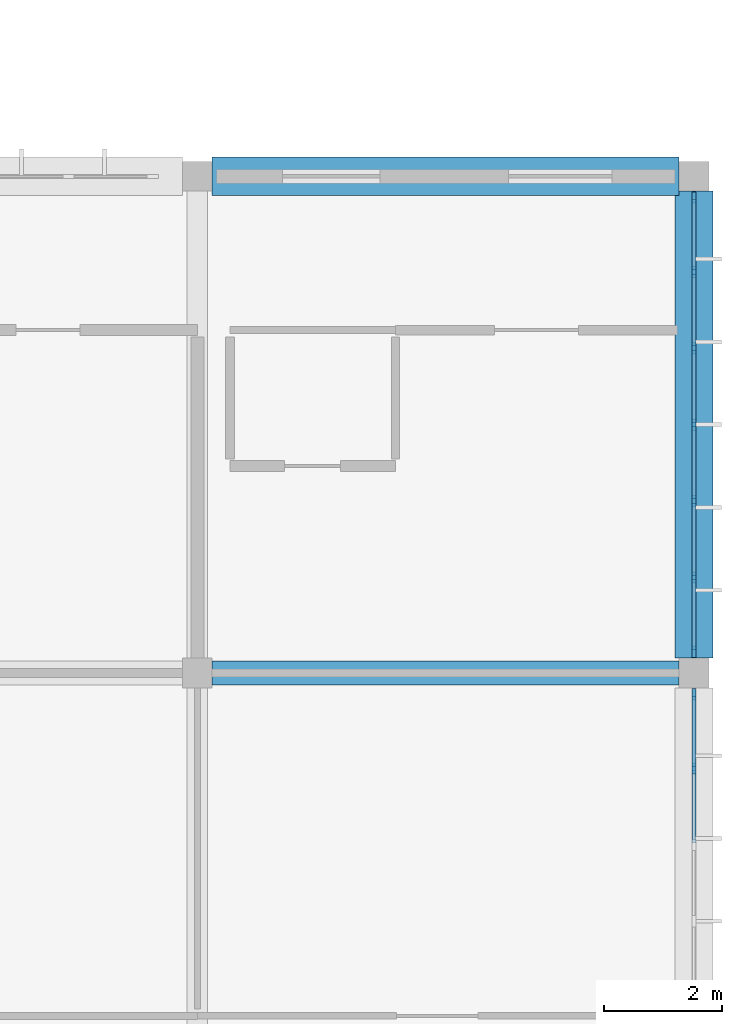
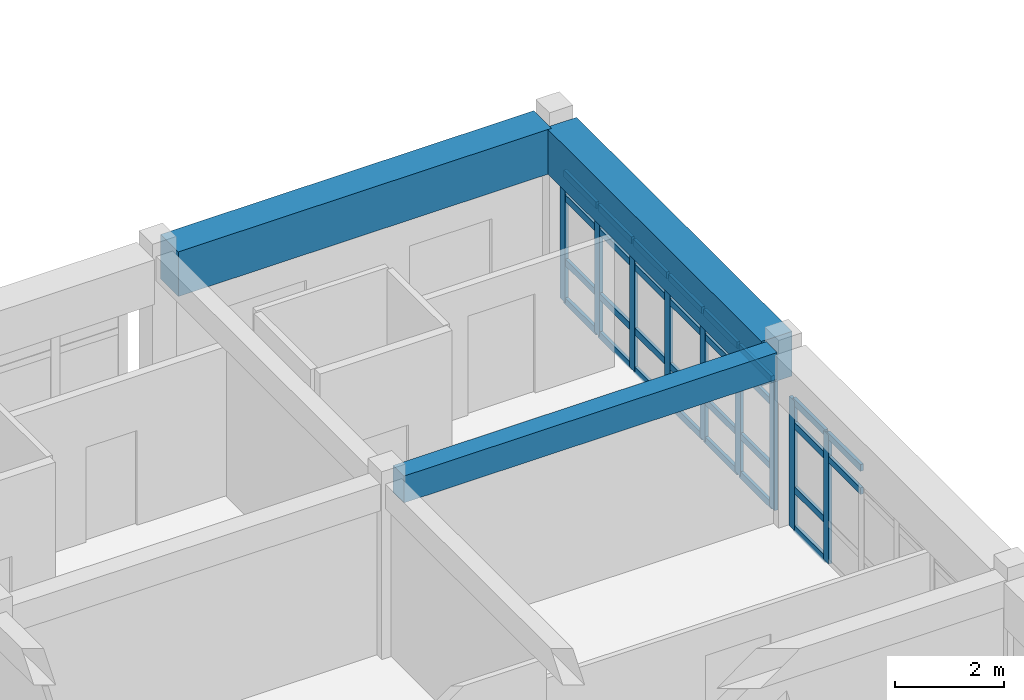
# One storey, part 47 of 119: 39 members, 3 beams, 2 elements without a shape of their own.
"""IFC4 building model written with IfcOpenShell, lengths in metres."""

from ifc_helpers import new_model, si_unit, direction, frame, origin, origin_2d, place, context, subcontext, project, spatial, rectangle, extrude, material, layer, layer_set, material_profile, profile_set, type_object, element, aggregate, save


model = new_model("IFC4")

# Units and contexts
model_context = context("Model", 3, precision=1e-05, world=origin(), true_north=direction((0.0, 1.0)))
body_context = subcontext(model_context, "Body", "Model", "MODEL_VIEW")
ifc_project = project(units=[si_unit("LENGTHUNIT", "METRE"), si_unit("AREAUNIT", "SQUARE_METRE"), si_unit("VOLUMEUNIT", "CUBIC_METRE"), si_unit("PLANEANGLEUNIT", "RADIAN"), si_unit("MASSUNIT", "GRAM", prefix="KILO")], contexts=[model_context])

# Site, building, storey
site_placement = place(None, origin())
site = spatial("IfcSite", under=ifc_project, at=site_placement, CompositionType="ELEMENT")
building_placement = place(site_placement, origin())
building = spatial("IfcBuilding", under=site, at=building_placement, Name="Bramfleet General Hospital", CompositionType="ELEMENT")
storey_placement = place(building_placement, frame((0.0, 0.0, 14.39990234375)))
storey = spatial("IfcBuildingStorey", under=building, at=storey_placement, Name="L03", CompositionType="ELEMENT", Elevation=14.39990234375)

# Beams
ifc_material_1 = material(Name="Concrete C35/45", Category="concrete")
ifc_material_profile_1 = material_profile(ifc_material_1, rectangle(XDim=0.39990234375, YDim=0.60009765625, at=origin_2d()), Name="RC BM 600x400")
ifc_profile_set_1 = profile_set([ifc_material_profile_1], Name="Concrete C35/45")
beam_type_1 = type_object("IfcBeamType", Name="BM-RC600", PredefinedType="BEAM", material=ifc_profile_set_1)
beam_placement = place(storey_placement, frame((159.85009765625, 16.800048828125, 3.60009765625), z_axis=(1.0, 0.0, 0.0), x_axis=(0.0, 1.0, 0.0)))
element("IfcBeam", 1, at=beam_placement, inside=storey, type_object=beam_type_1, Name="L03 Grid Beam X 19-02", PredefinedType="BEAM", context=body_context, shape_type="SweptSolid", body=[
    extrude(rectangle(XDim=0.39990234375, YDim=0.60009765625, at=origin_2d()), origin(), (0.0, 0.0, 1.0), 7.89990234375),
])
ifc_material_2 = material(Name="Concrete C40/50", Category="concrete")
ifc_material_profile_2 = material_profile(ifc_material_2, rectangle(XDim=0.64990234375, YDim=1.0, at=origin_2d()), Name="RC TG 1000x650")
ifc_profile_set_2 = profile_set([ifc_material_profile_2], Name="Concrete C40/50")
beam_type_2 = type_object("IfcBeamType", Name="BM-TG1000", PredefinedType="BEAM", material=ifc_profile_set_2)
for number, where, z_axis, x_axis, name in (
    (2, (159.85009765625, 25.199951171875, 3.400146484375), (1.0, 0.0, 0.0), (0.0, 1.0, 0.0), "L03 Transfer Girder X 19-03"),
    (3, (168.0, 17.050048828125, 3.400146484375), (0.0, 1.0, 0.0), (-1.0, 0.0, 0.0), "L03 Transfer Girder Y 20-02"),
):
    element("IfcBeam", number, at=place(storey_placement, frame(where, z_axis=z_axis, x_axis=x_axis)), inside=storey, type_object=beam_type_2, Name=name, PredefinedType="BEAM", context=body_context, shape_type="SweptSolid", body=[
        extrude(rectangle(XDim=0.64990234375, YDim=1.0, at=origin_2d()), origin(), (0.0, 0.0, 1.0), 7.89990234375),
    ])

# Curtain wall, members
ifc_material_3 = material(Name="Anodised aluminium and low-E triple glazing", Category="aluminium")
ifc_layer_1 = layer(ifc_material_3, 0.179931640625, Name="CWT-CW-05")
ifc_layer_set_1 = layer_set([ifc_layer_1], Name="Anodised aluminium and low-E triple glazing")
curtain_wall_type_1 = type_object("IfcCurtainWallType", Name="CWT-CW-05", PredefinedType="USERDEFINED", material=ifc_layer_set_1)
curtain_wall_1_placement = place(storey_placement, origin())
curtain_wall_1 = element("IfcCurtainWall", 4, at=curtain_wall_1_placement, inside=storey, type_object=curtain_wall_type_1, Name="L03 Curtain Wall 167", ObjectType="Unitised curtain wall", PredefinedType="USERDEFINED")
ifc_material_4 = material(Name="Structural timber GL28h", Category="wood")
ifc_material_profile_3 = material_profile(ifc_material_4, rectangle(XDim=0.070068359375, YDim=0.18994140625, at=origin_2d()), Name="LARCH 190x70")
ifc_profile_set_3 = profile_set([ifc_material_profile_3], Name="Structural timber GL28h")
member_type_1 = type_object("IfcMemberType", Name="CWM-LARCH450", PredefinedType="MULLION", material=ifc_profile_set_3)
member_1_placement = place(storey_placement, frame((168.0, 24.840087890625, 0.0), z_axis=(0.0, 0.0, 1.0), x_axis=(1.0, 0.0, 0.0)))
member_1 = element("IfcMember", 5, at=member_1_placement, type_object=member_type_1, Name="CW-05 mullion 1", PredefinedType="MULLION", context=body_context, shape_type="SweptSolid", body=[
    extrude(rectangle(XDim=0.070068359375, YDim=0.18994140625, at=origin_2d()), origin(), (0.0, 0.0, 1.0), 2.89013671875),
])
member_2_placement = place(storey_placement, frame((168.0, 23.583251953125, 0.0), z_axis=(0.0, 0.0, 1.0), x_axis=(1.0, 0.0, 0.0)))
member_2 = element("IfcMember", 6, at=member_2_placement, type_object=member_type_1, Name="CW-05 mullion 2", PredefinedType="MULLION", context=body_context, shape_type="SweptSolid", body=[
    extrude(rectangle(XDim=0.070068359375, YDim=0.18994140625, at=origin_2d()), origin(), (0.0, 0.0, 1.0), 2.89013671875),
])
member_3_placement = place(storey_placement, frame((168.0, 22.291748046875, 0.0), z_axis=(0.0, 0.0, 1.0), x_axis=(1.0, 0.0, 0.0)))
member_3 = element("IfcMember", 7, at=member_3_placement, type_object=member_type_1, Name="CW-05 mullion 3", PredefinedType="MULLION", context=body_context, shape_type="SweptSolid", body=[
    extrude(rectangle(XDim=0.070068359375, YDim=0.18994140625, at=origin_2d()), origin(), (0.0, 0.0, 1.0), 2.89013671875),
])
member_4_placement = place(storey_placement, frame((168.0, 21.0, 0.0), z_axis=(0.0, 0.0, 1.0), x_axis=(1.0, 0.0, 0.0)))
member_4 = element("IfcMember", 8, at=member_4_placement, type_object=member_type_1, Name="CW-05 mullion 4", PredefinedType="MULLION", context=body_context, shape_type="SweptSolid", body=[
    extrude(rectangle(XDim=0.070068359375, YDim=0.18994140625, at=origin_2d()), origin(), (0.0, 0.0, 1.0), 2.89013671875),
])
member_5_placement = place(storey_placement, frame((168.0, 19.708251953125, 0.0), z_axis=(0.0, 0.0, 1.0), x_axis=(1.0, 0.0, 0.0)))
member_5 = element("IfcMember", 9, at=member_5_placement, type_object=member_type_1, Name="CW-05 mullion 5", PredefinedType="MULLION", context=body_context, shape_type="SweptSolid", body=[
    extrude(rectangle(XDim=0.070068359375, YDim=0.18994140625, at=origin_2d()), origin(), (0.0, 0.0, 1.0), 2.89013671875),
])
member_6_placement = place(storey_placement, frame((168.0, 18.416748046875, 0.0), z_axis=(0.0, 0.0, 1.0), x_axis=(1.0, 0.0, 0.0)))
member_6 = element("IfcMember", 10, at=member_6_placement, type_object=member_type_1, Name="CW-05 mullion 6", PredefinedType="MULLION", context=body_context, shape_type="SweptSolid", body=[
    extrude(rectangle(XDim=0.070068359375, YDim=0.18994140625, at=origin_2d()), origin(), (0.0, 0.0, 1.0), 2.89013671875),
])
member_7_placement = place(storey_placement, frame((168.0, 17.159912109375, 0.0), z_axis=(0.0, 0.0, 1.0), x_axis=(1.0, 0.0, 0.0)))
member_7 = element("IfcMember", 11, at=member_7_placement, type_object=member_type_1, Name="CW-05 mullion 7", PredefinedType="MULLION", context=body_context, shape_type="SweptSolid", body=[
    extrude(rectangle(XDim=0.070068359375, YDim=0.18994140625, at=origin_2d()), origin(), (0.0, 0.0, 1.0), 2.89013671875),
])

ifc_layer_2 = layer(ifc_material_3, 0.179931640625, Name="CWT-CW-06")
ifc_layer_set_2 = layer_set([ifc_layer_2], Name="Anodised aluminium and low-E triple glazing")
curtain_wall_type_2 = type_object("IfcCurtainWallType", Name="CWT-CW-06", PredefinedType="USERDEFINED", material=ifc_layer_set_2)
curtain_wall_2_placement = place(storey_placement, origin())
curtain_wall_2 = element("IfcCurtainWall", 12, at=curtain_wall_2_placement, inside=storey, type_object=curtain_wall_type_2, Name="L03 Curtain Wall 168", ObjectType="Unitised curtain wall", PredefinedType="USERDEFINED")
member_8_placement = place(storey_placement, frame((168.0, 16.43994140625, 0.0), z_axis=(0.0, 0.0, 1.0), x_axis=(1.0, 0.0, 0.0)))
member_8 = element("IfcMember", 13, at=member_8_placement, type_object=member_type_1, Name="CW-06 mullion 1", PredefinedType="MULLION", context=body_context, shape_type="SweptSolid", body=[
    extrude(rectangle(XDim=0.070068359375, YDim=0.18994140625, at=origin_2d()), origin(), (0.0, 0.0, 1.0), 2.89013671875),
])
member_9_placement = place(storey_placement, frame((168.0, 15.183349609375, 0.0), z_axis=(0.0, 0.0, 1.0), x_axis=(1.0, 0.0, 0.0)))
member_9 = element("IfcMember", 14, at=member_9_placement, type_object=member_type_1, Name="CW-06 mullion 2", PredefinedType="MULLION", context=body_context, shape_type="SweptSolid", body=[
    extrude(rectangle(XDim=0.070068359375, YDim=0.18994140625, at=origin_2d()), origin(), (0.0, 0.0, 1.0), 2.89013671875),
])

# Member
ifc_material_profile_4 = material_profile(ifc_material_4, rectangle(XDim=0.06494140625, YDim=0.14990234375, at=origin_2d()), Name="LARCH 150x65")
ifc_profile_set_4 = profile_set([ifc_material_profile_4], Name="Structural timber GL28h")
member_type_2 = type_object("IfcMemberType", Name="CWT-LARCH220", PredefinedType="USERDEFINED", material=ifc_profile_set_4)
member_10_placement = place(storey_placement, frame((168.0, 24.804931640625, 0.03271484375), z_axis=(0.0, -1.0, 0.0), x_axis=(1.0, 0.0, 0.0)))
member_10 = element("IfcMember", 15, at=member_10_placement, type_object=member_type_2, Name="CW-05 transom 1.1", ObjectType="TRANSOM", PredefinedType="USERDEFINED", context=body_context, shape_type="SweptSolid", body=[
    extrude(rectangle(XDim=0.06494140625, YDim=0.14990234375, at=origin_2d()), origin(), (0.0, 0.0, 1.0), 1.1865234375),
])

member_11_placement = place(storey_placement, frame((168.0, 24.804931640625, 0.900146484375), z_axis=(0.0, -1.0, 0.0), x_axis=(1.0, 0.0, 0.0)))
member_11 = element("IfcMember", 16, at=member_11_placement, type_object=member_type_2, Name="CW-05 transom 1.2", ObjectType="TRANSOM", PredefinedType="USERDEFINED", context=body_context, shape_type="SweptSolid", body=[
    extrude(rectangle(XDim=0.06494140625, YDim=0.14990234375, at=origin_2d()), origin(), (0.0, 0.0, 1.0), 1.1865234375),
])

member_12_placement = place(storey_placement, frame((168.0, 24.804931640625, 2.340087890625), z_axis=(0.0, -1.0, 0.0), x_axis=(1.0, 0.0, 0.0)))
member_12 = element("IfcMember", 17, at=member_12_placement, type_object=member_type_2, Name="CW-05 transom 1.3", ObjectType="TRANSOM", PredefinedType="USERDEFINED", context=body_context, shape_type="SweptSolid", body=[
    extrude(rectangle(XDim=0.06494140625, YDim=0.14990234375, at=origin_2d()), origin(), (0.0, 0.0, 1.0), 1.1865234375),
])

member_13_placement = place(storey_placement, frame((168.0, 24.804931640625, 2.857666015625), z_axis=(0.0, -1.0, 0.0), x_axis=(1.0, 0.0, 0.0)))
member_13 = element("IfcMember", 18, at=member_13_placement, type_object=member_type_2, Name="CW-05 transom 1.4", ObjectType="TRANSOM", PredefinedType="USERDEFINED", context=body_context, shape_type="SweptSolid", body=[
    extrude(rectangle(XDim=0.06494140625, YDim=0.14990234375, at=origin_2d()), origin(), (0.0, 0.0, 1.0), 1.1865234375),
])

member_14_placement = place(storey_placement, frame((168.0, 23.54833984375, 0.03271484375), z_axis=(0.0, -1.0, 0.0), x_axis=(1.0, 0.0, 0.0)))
member_14 = element("IfcMember", 19, at=member_14_placement, type_object=member_type_2, Name="CW-05 transom 2.1", ObjectType="TRANSOM", PredefinedType="USERDEFINED", context=body_context, shape_type="SweptSolid", body=[
    extrude(rectangle(XDim=0.06494140625, YDim=0.14990234375, at=origin_2d()), origin(), (0.0, 0.0, 1.0), 1.2216796875),
])

member_15_placement = place(storey_placement, frame((168.0, 23.54833984375, 0.900146484375), z_axis=(0.0, -1.0, 0.0), x_axis=(1.0, 0.0, 0.0)))
member_15 = element("IfcMember", 20, at=member_15_placement, type_object=member_type_2, Name="CW-05 transom 2.2", ObjectType="TRANSOM", PredefinedType="USERDEFINED", context=body_context, shape_type="SweptSolid", body=[
    extrude(rectangle(XDim=0.06494140625, YDim=0.14990234375, at=origin_2d()), origin(), (0.0, 0.0, 1.0), 1.2216796875),
])

member_16_placement = place(storey_placement, frame((168.0, 23.54833984375, 2.340087890625), z_axis=(0.0, -1.0, 0.0), x_axis=(1.0, 0.0, 0.0)))
member_16 = element("IfcMember", 21, at=member_16_placement, type_object=member_type_2, Name="CW-05 transom 2.3", ObjectType="TRANSOM", PredefinedType="USERDEFINED", context=body_context, shape_type="SweptSolid", body=[
    extrude(rectangle(XDim=0.06494140625, YDim=0.14990234375, at=origin_2d()), origin(), (0.0, 0.0, 1.0), 1.2216796875),
])

member_17_placement = place(storey_placement, frame((168.0, 23.54833984375, 2.857666015625), z_axis=(0.0, -1.0, 0.0), x_axis=(1.0, 0.0, 0.0)))
member_17 = element("IfcMember", 22, at=member_17_placement, type_object=member_type_2, Name="CW-05 transom 2.4", ObjectType="TRANSOM", PredefinedType="USERDEFINED", context=body_context, shape_type="SweptSolid", body=[
    extrude(rectangle(XDim=0.06494140625, YDim=0.14990234375, at=origin_2d()), origin(), (0.0, 0.0, 1.0), 1.2216796875),
])

member_18_placement = place(storey_placement, frame((168.0, 22.256591796875, 0.03271484375), z_axis=(0.0, -1.0, 0.0), x_axis=(1.0, 0.0, 0.0)))
member_18 = element("IfcMember", 23, at=member_18_placement, type_object=member_type_2, Name="CW-05 transom 3.1", ObjectType="TRANSOM", PredefinedType="USERDEFINED", context=body_context, shape_type="SweptSolid", body=[
    extrude(rectangle(XDim=0.06494140625, YDim=0.14990234375, at=origin_2d()), origin(), (0.0, 0.0, 1.0), 1.2216796875),
])

member_19_placement = place(storey_placement, frame((168.0, 22.256591796875, 0.900146484375), z_axis=(0.0, -1.0, 0.0), x_axis=(1.0, 0.0, 0.0)))
member_19 = element("IfcMember", 24, at=member_19_placement, type_object=member_type_2, Name="CW-05 transom 3.2", ObjectType="TRANSOM", PredefinedType="USERDEFINED", context=body_context, shape_type="SweptSolid", body=[
    extrude(rectangle(XDim=0.06494140625, YDim=0.14990234375, at=origin_2d()), origin(), (0.0, 0.0, 1.0), 1.2216796875),
])

member_20_placement = place(storey_placement, frame((168.0, 22.256591796875, 2.340087890625), z_axis=(0.0, -1.0, 0.0), x_axis=(1.0, 0.0, 0.0)))
member_20 = element("IfcMember", 25, at=member_20_placement, type_object=member_type_2, Name="CW-05 transom 3.3", ObjectType="TRANSOM", PredefinedType="USERDEFINED", context=body_context, shape_type="SweptSolid", body=[
    extrude(rectangle(XDim=0.06494140625, YDim=0.14990234375, at=origin_2d()), origin(), (0.0, 0.0, 1.0), 1.2216796875),
])

member_21_placement = place(storey_placement, frame((168.0, 22.256591796875, 2.857666015625), z_axis=(0.0, -1.0, 0.0), x_axis=(1.0, 0.0, 0.0)))
member_21 = element("IfcMember", 26, at=member_21_placement, type_object=member_type_2, Name="CW-05 transom 3.4", ObjectType="TRANSOM", PredefinedType="USERDEFINED", context=body_context, shape_type="SweptSolid", body=[
    extrude(rectangle(XDim=0.06494140625, YDim=0.14990234375, at=origin_2d()), origin(), (0.0, 0.0, 1.0), 1.2216796875),
])

member_22_placement = place(storey_placement, frame((168.0, 20.965087890625, 0.03271484375), z_axis=(0.0, -1.0, 0.0), x_axis=(1.0, 0.0, 0.0)))
member_22 = element("IfcMember", 27, at=member_22_placement, type_object=member_type_2, Name="CW-05 transom 4.1", ObjectType="TRANSOM", PredefinedType="USERDEFINED", context=body_context, shape_type="SweptSolid", body=[
    extrude(rectangle(XDim=0.06494140625, YDim=0.14990234375, at=origin_2d()), origin(), (0.0, 0.0, 1.0), 1.2216796875),
])

member_23_placement = place(storey_placement, frame((168.0, 20.965087890625, 0.900146484375), z_axis=(0.0, -1.0, 0.0), x_axis=(1.0, 0.0, 0.0)))
member_23 = element("IfcMember", 28, at=member_23_placement, type_object=member_type_2, Name="CW-05 transom 4.2", ObjectType="TRANSOM", PredefinedType="USERDEFINED", context=body_context, shape_type="SweptSolid", body=[
    extrude(rectangle(XDim=0.06494140625, YDim=0.14990234375, at=origin_2d()), origin(), (0.0, 0.0, 1.0), 1.2216796875),
])

member_24_placement = place(storey_placement, frame((168.0, 20.965087890625, 2.340087890625), z_axis=(0.0, -1.0, 0.0), x_axis=(1.0, 0.0, 0.0)))
member_24 = element("IfcMember", 29, at=member_24_placement, type_object=member_type_2, Name="CW-05 transom 4.3", ObjectType="TRANSOM", PredefinedType="USERDEFINED", context=body_context, shape_type="SweptSolid", body=[
    extrude(rectangle(XDim=0.06494140625, YDim=0.14990234375, at=origin_2d()), origin(), (0.0, 0.0, 1.0), 1.2216796875),
])

member_25_placement = place(storey_placement, frame((168.0, 20.965087890625, 2.857666015625), z_axis=(0.0, -1.0, 0.0), x_axis=(1.0, 0.0, 0.0)))
member_25 = element("IfcMember", 30, at=member_25_placement, type_object=member_type_2, Name="CW-05 transom 4.4", ObjectType="TRANSOM", PredefinedType="USERDEFINED", context=body_context, shape_type="SweptSolid", body=[
    extrude(rectangle(XDim=0.06494140625, YDim=0.14990234375, at=origin_2d()), origin(), (0.0, 0.0, 1.0), 1.2216796875),
])

member_26_placement = place(storey_placement, frame((168.0, 19.67333984375, 0.03271484375), z_axis=(0.0, -1.0, 0.0), x_axis=(1.0, 0.0, 0.0)))
member_26 = element("IfcMember", 31, at=member_26_placement, type_object=member_type_2, Name="CW-05 transom 5.1", ObjectType="TRANSOM", PredefinedType="USERDEFINED", context=body_context, shape_type="SweptSolid", body=[
    extrude(rectangle(XDim=0.06494140625, YDim=0.14990234375, at=origin_2d()), origin(), (0.0, 0.0, 1.0), 1.2216796875),
])

member_27_placement = place(storey_placement, frame((168.0, 19.67333984375, 0.900146484375), z_axis=(0.0, -1.0, 0.0), x_axis=(1.0, 0.0, 0.0)))
member_27 = element("IfcMember", 32, at=member_27_placement, type_object=member_type_2, Name="CW-05 transom 5.2", ObjectType="TRANSOM", PredefinedType="USERDEFINED", context=body_context, shape_type="SweptSolid", body=[
    extrude(rectangle(XDim=0.06494140625, YDim=0.14990234375, at=origin_2d()), origin(), (0.0, 0.0, 1.0), 1.2216796875),
])

member_28_placement = place(storey_placement, frame((168.0, 19.67333984375, 2.340087890625), z_axis=(0.0, -1.0, 0.0), x_axis=(1.0, 0.0, 0.0)))
member_28 = element("IfcMember", 33, at=member_28_placement, type_object=member_type_2, Name="CW-05 transom 5.3", ObjectType="TRANSOM", PredefinedType="USERDEFINED", context=body_context, shape_type="SweptSolid", body=[
    extrude(rectangle(XDim=0.06494140625, YDim=0.14990234375, at=origin_2d()), origin(), (0.0, 0.0, 1.0), 1.2216796875),
])

member_29_placement = place(storey_placement, frame((168.0, 19.67333984375, 2.857666015625), z_axis=(0.0, -1.0, 0.0), x_axis=(1.0, 0.0, 0.0)))
member_29 = element("IfcMember", 34, at=member_29_placement, type_object=member_type_2, Name="CW-05 transom 5.4", ObjectType="TRANSOM", PredefinedType="USERDEFINED", context=body_context, shape_type="SweptSolid", body=[
    extrude(rectangle(XDim=0.06494140625, YDim=0.14990234375, at=origin_2d()), origin(), (0.0, 0.0, 1.0), 1.2216796875),
])

member_30_placement = place(storey_placement, frame((168.0, 18.381591796875, 0.03271484375), z_axis=(0.0, -1.0, 0.0), x_axis=(1.0, 0.0, 0.0)))
member_30 = element("IfcMember", 35, at=member_30_placement, type_object=member_type_2, Name="CW-05 transom 6.1", ObjectType="TRANSOM", PredefinedType="USERDEFINED", context=body_context, shape_type="SweptSolid", body=[
    extrude(rectangle(XDim=0.06494140625, YDim=0.14990234375, at=origin_2d()), origin(), (0.0, 0.0, 1.0), 1.1865234375),
])

member_31_placement = place(storey_placement, frame((168.0, 18.381591796875, 0.900146484375), z_axis=(0.0, -1.0, 0.0), x_axis=(1.0, 0.0, 0.0)))
member_31 = element("IfcMember", 36, at=member_31_placement, type_object=member_type_2, Name="CW-05 transom 6.2", ObjectType="TRANSOM", PredefinedType="USERDEFINED", context=body_context, shape_type="SweptSolid", body=[
    extrude(rectangle(XDim=0.06494140625, YDim=0.14990234375, at=origin_2d()), origin(), (0.0, 0.0, 1.0), 1.1865234375),
])

member_32_placement = place(storey_placement, frame((168.0, 18.381591796875, 2.340087890625), z_axis=(0.0, -1.0, 0.0), x_axis=(1.0, 0.0, 0.0)))
member_32 = element("IfcMember", 37, at=member_32_placement, type_object=member_type_2, Name="CW-05 transom 6.3", ObjectType="TRANSOM", PredefinedType="USERDEFINED", context=body_context, shape_type="SweptSolid", body=[
    extrude(rectangle(XDim=0.06494140625, YDim=0.14990234375, at=origin_2d()), origin(), (0.0, 0.0, 1.0), 1.1865234375),
])

member_33_placement = place(storey_placement, frame((168.0, 18.381591796875, 2.857666015625), z_axis=(0.0, -1.0, 0.0), x_axis=(1.0, 0.0, 0.0)))
member_33 = element("IfcMember", 38, at=member_33_placement, type_object=member_type_2, Name="CW-05 transom 6.4", ObjectType="TRANSOM", PredefinedType="USERDEFINED", context=body_context, shape_type="SweptSolid", body=[
    extrude(rectangle(XDim=0.06494140625, YDim=0.14990234375, at=origin_2d()), origin(), (0.0, 0.0, 1.0), 1.1865234375),
])

aggregate(curtain_wall_1, [member_1, member_2, member_3, member_4, member_5, member_6, member_7, member_10, member_11, member_12, member_13, member_14, member_15, member_16, member_17, member_18, member_19, member_20, member_21, member_22, member_23, member_24, member_25, member_26, member_27, member_28, member_29, member_30, member_31, member_32, member_33])

member_34_placement = place(storey_placement, frame((168.0, 16.405029296875, 0.03271484375), z_axis=(0.0, -1.0, 0.0), x_axis=(1.0, 0.0, 0.0)))
member_34 = element("IfcMember", 39, at=member_34_placement, type_object=member_type_2, Name="CW-06 transom 1.1", ObjectType="TRANSOM", PredefinedType="USERDEFINED", context=body_context, shape_type="SweptSolid", body=[
    extrude(rectangle(XDim=0.06494140625, YDim=0.14990234375, at=origin_2d()), origin(), (0.0, 0.0, 1.0), 1.186767578125),
])

member_35_placement = place(storey_placement, frame((168.0, 16.405029296875, 0.900146484375), z_axis=(0.0, -1.0, 0.0), x_axis=(1.0, 0.0, 0.0)))
member_35 = element("IfcMember", 40, at=member_35_placement, type_object=member_type_2, Name="CW-06 transom 1.2", ObjectType="TRANSOM", PredefinedType="USERDEFINED", context=body_context, shape_type="SweptSolid", body=[
    extrude(rectangle(XDim=0.06494140625, YDim=0.14990234375, at=origin_2d()), origin(), (0.0, 0.0, 1.0), 1.186767578125),
])

member_36_placement = place(storey_placement, frame((168.0, 16.405029296875, 2.340087890625), z_axis=(0.0, -1.0, 0.0), x_axis=(1.0, 0.0, 0.0)))
member_36 = element("IfcMember", 41, at=member_36_placement, type_object=member_type_2, Name="CW-06 transom 1.3", ObjectType="TRANSOM", PredefinedType="USERDEFINED", context=body_context, shape_type="SweptSolid", body=[
    extrude(rectangle(XDim=0.06494140625, YDim=0.14990234375, at=origin_2d()), origin(), (0.0, 0.0, 1.0), 1.186767578125),
])

member_37_placement = place(storey_placement, frame((168.0, 16.405029296875, 2.857666015625), z_axis=(0.0, -1.0, 0.0), x_axis=(1.0, 0.0, 0.0)))
member_37 = element("IfcMember", 42, at=member_37_placement, type_object=member_type_2, Name="CW-06 transom 1.4", ObjectType="TRANSOM", PredefinedType="USERDEFINED", context=body_context, shape_type="SweptSolid", body=[
    extrude(rectangle(XDim=0.06494140625, YDim=0.14990234375, at=origin_2d()), origin(), (0.0, 0.0, 1.0), 1.186767578125),
])

member_38_placement = place(storey_placement, frame((168.0, 15.1484375, 2.340087890625), z_axis=(0.0, -1.0, 0.0), x_axis=(1.0, 0.0, 0.0)))
member_38 = element("IfcMember", 43, at=member_38_placement, type_object=member_type_2, Name="CW-06 transom 2.3", ObjectType="TRANSOM", PredefinedType="USERDEFINED", context=body_context, shape_type="SweptSolid", body=[
    extrude(rectangle(XDim=0.06494140625, YDim=0.14990234375, at=origin_2d()), origin(), (0.0, 0.0, 1.0), 1.2216796875),
])

member_39_placement = place(storey_placement, frame((168.0, 15.1484375, 2.857666015625), z_axis=(0.0, -1.0, 0.0), x_axis=(1.0, 0.0, 0.0)))
member_39 = element("IfcMember", 44, at=member_39_placement, type_object=member_type_2, Name="CW-06 transom 2.4", ObjectType="TRANSOM", PredefinedType="USERDEFINED", context=body_context, shape_type="SweptSolid", body=[
    extrude(rectangle(XDim=0.06494140625, YDim=0.14990234375, at=origin_2d()), origin(), (0.0, 0.0, 1.0), 1.2216796875),
])

aggregate(curtain_wall_2, [member_8, member_9, member_34, member_35, member_36, member_37, member_38, member_39])

save(model, "model.ifc")
